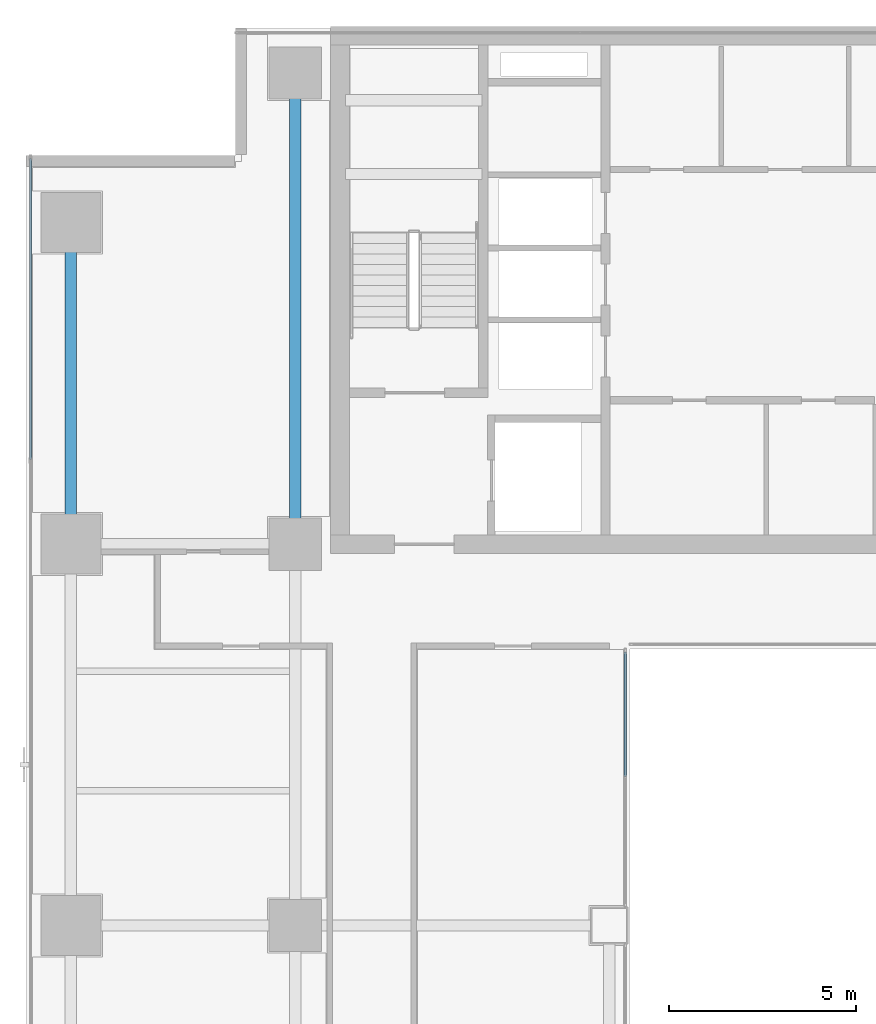
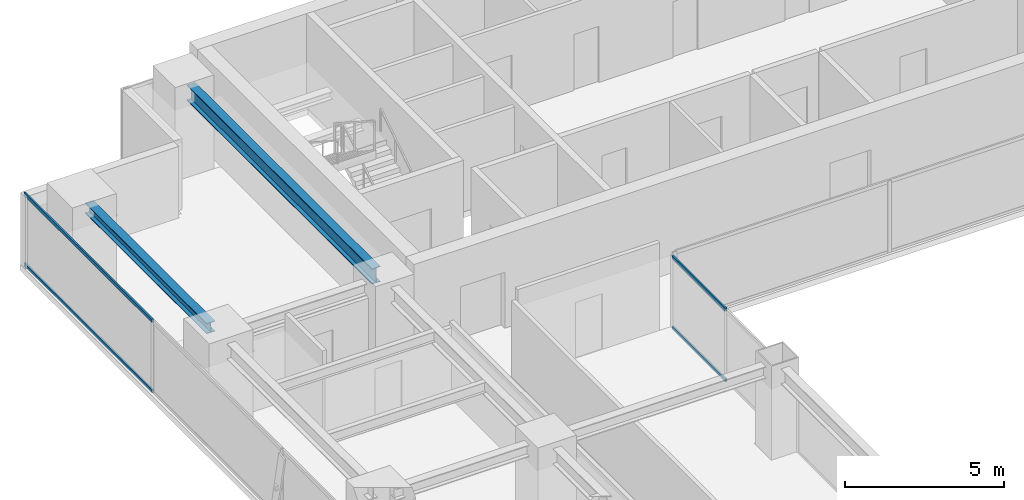
# One storey, part 9 of 28: 4 members, 2 beams, 2 elements without a shape of their own.
"""IFC4 building model written with IfcOpenShell, lengths in metres."""

from ifc_helpers import new_model, si_unit, direction, frame, origin, origin_2d, place, context, subcontext, project, spatial, hollow_rectangle, i_section, extrude, source, transform, mapped, material, layer, layer_set, material_profile, profile_set, type_object, element, aggregate, save


model = new_model("IFC4")

# Units and contexts
model_context = context("Model", 3, precision=1e-05, world=origin(), true_north=direction((0.0, 1.0)))
body_context = subcontext(model_context, "Body", "Model", "MODEL_VIEW")
ifc_project = project(units=[si_unit("LENGTHUNIT", "METRE"), si_unit("AREAUNIT", "SQUARE_METRE"), si_unit("VOLUMEUNIT", "CUBIC_METRE"), si_unit("PLANEANGLEUNIT", "RADIAN"), si_unit("MASSUNIT", "GRAM", prefix="KILO")], contexts=[model_context])

# Site, building, storey
site_placement = place(None, origin())
site = spatial("IfcSite", under=ifc_project, at=site_placement, CompositionType="ELEMENT")
building_placement = place(site_placement, origin())
building = spatial("IfcBuilding", under=site, at=building_placement, Name="Sumidabori Civic Tower", CompositionType="ELEMENT")
storey_placement = place(building_placement, frame((0.0, 0.0, 210.800048828125)))
storey = spatial("IfcBuildingStorey", under=building, at=storey_placement, Name="L54", CompositionType="ELEMENT", Elevation=210.800048828125)

# Beams
ifc_material_1 = material(Name="Steel SN490", Category="steel")
ifc_material_profile_1 = material_profile(ifc_material_1, i_section(OverallWidth=0.300048828125, OverallDepth=0.39990234375, WebThickness=0.013427734375, FlangeThickness=0.02392578125, at=origin_2d()), Name="HE 400 B")
ifc_profile_set_1 = profile_set([ifc_material_profile_1], Name="Steel SN490")
beam_type_1 = type_object("IfcBeamType", Name="BM-GIRD-400", PredefinedType="BEAM", material=ifc_profile_set_1)
shared_shape_1 = source(origin(), body_context, "Body", "SweptSolid", [
    extrude(i_section(OverallWidth=0.300048828125, OverallDepth=0.39990234375, WebThickness=0.013427734375, FlangeThickness=0.02392578125, at=origin_2d()), origin(), (0.0, 0.0, 1.0), 7.64013671875),
])
beam_1_placement = place(storey_placement, frame((-22.800048828125, 10.679931640625, 3.179931640625), z_axis=(0.0, 1.0, 0.0), x_axis=(-1.0, 0.0, 0.0)))
element("IfcBeam", 1, at=beam_1_placement, inside=storey, type_object=beam_type_1, Name="Primary Girder L54 GY-13", PredefinedType="BEAM", context=body_context, shape_type="MappedRepresentation", body=[
    mapped(shared_shape_1, transform((0.0, 0.0, 0.0), x_axis=(1.0, 0.0, 0.0), y_axis=(0.0, 1.0, 0.0), z_axis=(0.0, 0.0, 1.0), scale=1.0)),
])
ifc_material_profile_2 = material_profile(ifc_material_1, i_section(OverallWidth=0.300048828125, OverallDepth=0.60009765625, WebThickness=0.015380859375, FlangeThickness=0.030029296875, at=origin_2d()), Name="HE 600 B")
ifc_profile_set_2 = profile_set([ifc_material_profile_2], Name="Steel SN490")
beam_type_2 = type_object("IfcBeamType", Name="BM-GIRD-600", PredefinedType="BEAM", material=ifc_profile_set_2)
shared_shape_2 = source(origin(), body_context, "Body", "SweptSolid", [
    extrude(i_section(OverallWidth=0.300048828125, OverallDepth=0.60009765625, WebThickness=0.015380859375, FlangeThickness=0.030029296875, at=origin_2d()), origin(), (0.0, 0.0, 1.0), 11.64013671875),
])
beam_2_placement = place(storey_placement, frame((-16.800048828125, 10.679931640625, 3.079833984375), z_axis=(0.0, 1.0, 0.0), x_axis=(-1.0, 0.0, 0.0)))
element("IfcBeam", 2, at=beam_2_placement, inside=storey, type_object=beam_type_2, Name="Primary Girder L54 GY-16", PredefinedType="BEAM", context=body_context, shape_type="MappedRepresentation", body=[
    mapped(shared_shape_2, transform((0.0, 0.0, 0.0), x_axis=(1.0, 0.0, 0.0), y_axis=(0.0, 1.0, 0.0), z_axis=(0.0, 0.0, 1.0), scale=1.0)),
])

# Curtain wall, members
ifc_material_2 = material(Name="Anodised Bronze Aluminium AW-6063-T6", Category="aluminium")
ifc_layer_1 = layer(ifc_material_2, 0.179931640625, Name="Anodised Bronze Aluminium AW-6063-T6")
ifc_layer_set_1 = layer_set([ifc_layer_1], Name="Anodised Bronze Aluminium AW-6063-T6")
curtain_wall_type_1 = type_object("IfcCurtainWallType", Name="CW-SYS-4", PredefinedType="NOTDEFINED", material=ifc_layer_set_1)
curtain_wall_1_placement = place(storey_placement, origin())
curtain_wall_1 = element("IfcCurtainWall", 3, at=curtain_wall_1_placement, inside=storey, type_object=curtain_wall_type_1, Name="Curtain Wall CW:L54:R04", PredefinedType="NOTDEFINED")
ifc_material_profile_3 = material_profile(ifc_material_2, hollow_rectangle(XDim=0.06005859375, YDim=0.1298828125, WallThickness=0.0048828125, at=origin_2d()), Name="ALU TRANSOM 130x60")
ifc_profile_set_3 = profile_set([ifc_material_profile_3], Name="Anodised Bronze Aluminium AW-6063-T6")
member_type = type_object("IfcMemberType", Name="CW-TRN-130", PredefinedType="USERDEFINED", material=ifc_profile_set_3)
shared_shape_3 = source(origin(), body_context, "Body", "SweptSolid", [
    extrude(hollow_rectangle(XDim=0.06005859375, YDim=0.1298828125, WallThickness=0.0048828125, at=origin_2d()), origin(), (0.0, 0.0, 1.0), 3.330078125),
])
member_1_placement = place(storey_placement, frame((-7.969970703125, 3.97998046875, 0.030029296875), z_axis=(0.0, 1.0, 0.0), x_axis=(-1.0, 0.0, 0.0)))
member_1 = element("IfcMember", 4, at=member_1_placement, type_object=member_type, Name="CW-4 transom 2.1", ObjectType="TRANSOM", PredefinedType="USERDEFINED", context=body_context, shape_type="MappedRepresentation", body=[
    mapped(shared_shape_3, transform((0.0, 0.0, 0.0), x_axis=(1.0, 0.0, 0.0), y_axis=(0.0, 1.0, 0.0), z_axis=(0.0, 0.0, 1.0), scale=1.0)),
])
member_2_placement = place(storey_placement, frame((-7.969970703125, 3.97998046875, 2.72998046875), z_axis=(0.0, 1.0, 0.0), x_axis=(-1.0, 0.0, 0.0)))
member_2 = element("IfcMember", 5, at=member_2_placement, type_object=member_type, Name="CW-4 transom 2.2", ObjectType="TRANSOM", PredefinedType="USERDEFINED", context=body_context, shape_type="MappedRepresentation", body=[
    mapped(shared_shape_3, transform((0.0, 0.0, 0.0), x_axis=(1.0, 0.0, 0.0), y_axis=(0.0, 1.0, 0.0), z_axis=(0.0, 0.0, 1.0), scale=1.0)),
])
aggregate(curtain_wall_1, [member_1, member_2])

ifc_layer_2 = layer(ifc_material_2, 0.179931640625, Name="Anodised Bronze Aluminium AW-6063-T6")
ifc_layer_set_2 = layer_set([ifc_layer_2], Name="Anodised Bronze Aluminium AW-6063-T6")
curtain_wall_type_2 = type_object("IfcCurtainWallType", Name="CW-SYS-5", PredefinedType="NOTDEFINED", material=ifc_layer_set_2)
curtain_wall_2_placement = place(storey_placement, origin())
curtain_wall_2 = element("IfcCurtainWall", 6, at=curtain_wall_2_placement, inside=storey, type_object=curtain_wall_type_2, Name="Curtain Wall CW:L54:R16", PredefinedType="NOTDEFINED")
shared_shape_4 = source(origin(), body_context, "Body", "SweptSolid", [
    extrude(hollow_rectangle(XDim=0.06005859375, YDim=0.1298828125, WallThickness=0.0048828125, at=origin_2d()), origin(), (0.0, 0.0, 1.0), 8.044921875),
])
member_3_placement = place(storey_placement, frame((-23.8798828125, 20.510009765625, 0.030029296875), z_axis=(0.0, -1.0, 0.0), x_axis=(1.0, 0.0, 0.0)))
member_3 = element("IfcMember", 7, at=member_3_placement, type_object=member_type, Name="CW-5 transom 1.1", ObjectType="TRANSOM", PredefinedType="USERDEFINED", context=body_context, shape_type="MappedRepresentation", body=[
    mapped(shared_shape_4, transform((0.0, 0.0, 0.0), x_axis=(1.0, 0.0, 0.0), y_axis=(0.0, 1.0, 0.0), z_axis=(0.0, 0.0, 1.0), scale=1.0)),
])
member_4_placement = place(storey_placement, frame((-23.8798828125, 20.510009765625, 2.72998046875), z_axis=(0.0, -1.0, 0.0), x_axis=(1.0, 0.0, 0.0)))
member_4 = element("IfcMember", 8, at=member_4_placement, type_object=member_type, Name="CW-5 transom 1.2", ObjectType="TRANSOM", PredefinedType="USERDEFINED", context=body_context, shape_type="MappedRepresentation", body=[
    mapped(shared_shape_4, transform((0.0, 0.0, 0.0), x_axis=(1.0, 0.0, 0.0), y_axis=(0.0, 1.0, 0.0), z_axis=(0.0, 0.0, 1.0), scale=1.0)),
])
aggregate(curtain_wall_2, [member_3, member_4])

save(model, "model.ifc")
